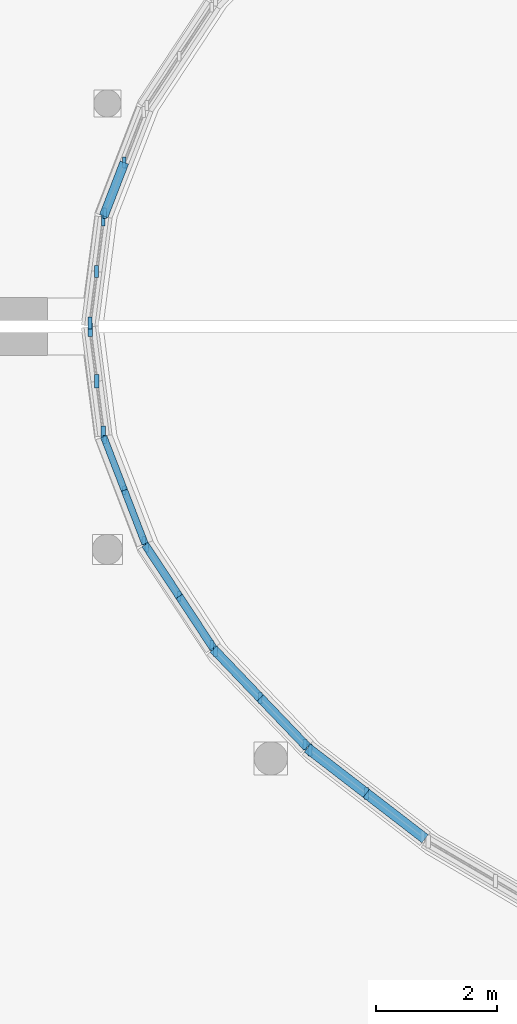
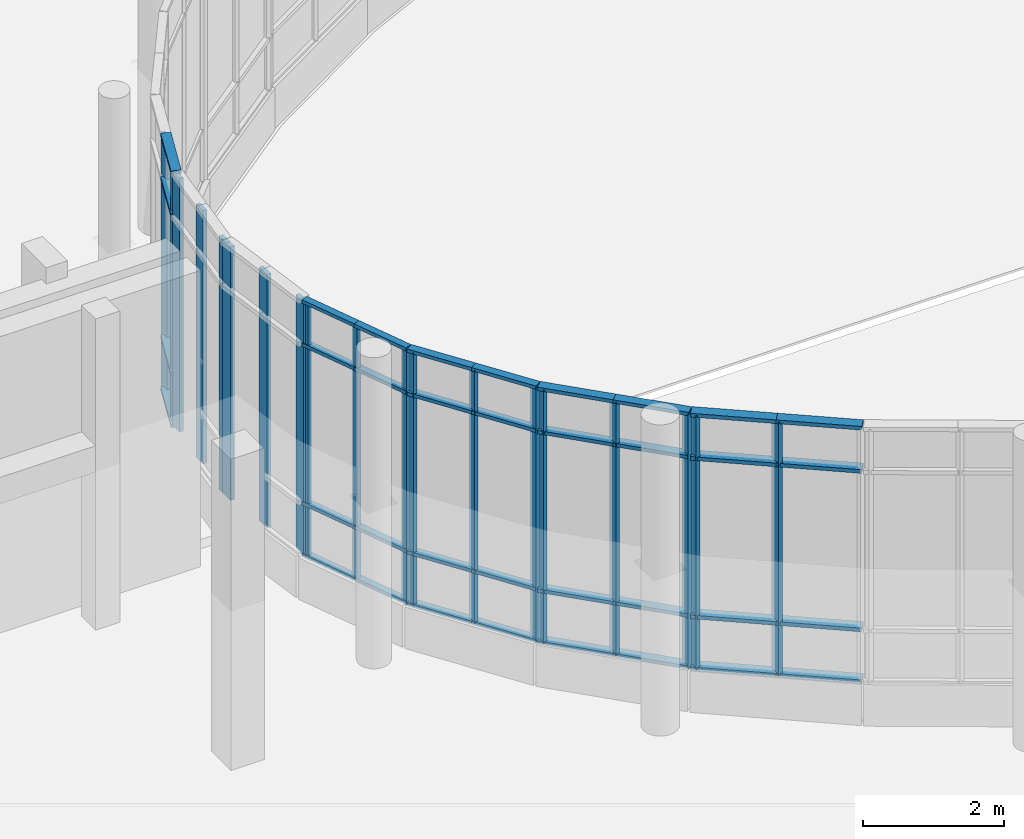
# One storey, part 18 of 84: 55 members, 7 elements without a shape of their own.
"""IFC4 building model written with IfcOpenShell, lengths in metres."""

from ifc_helpers import new_model, si_unit, direction, frame, origin, origin_2d, place, context, subcontext, project, spatial, rectangle, extrude, material, material_profile, profile_set, type_object, element, aggregate, save


model = new_model("IFC4")

# Units and contexts
model_context = context("Model", 3, precision=1e-05, world=origin(), true_north=direction((0.0, 1.0)))
body_context = subcontext(model_context, "Body", "Model", "MODEL_VIEW")
ifc_project = project(units=[si_unit("LENGTHUNIT", "METRE"), si_unit("AREAUNIT", "SQUARE_METRE"), si_unit("VOLUMEUNIT", "CUBIC_METRE"), si_unit("PLANEANGLEUNIT", "RADIAN"), si_unit("MASSUNIT", "GRAM", prefix="KILO")], contexts=[model_context])

# Site, building, storey
site_placement = place(None, origin())
site = spatial("IfcSite", under=ifc_project, at=site_placement, CompositionType="ELEMENT")
building_placement = place(site_placement, origin())
building = spatial("IfcBuilding", under=site, at=building_placement, Name="Mzevani Central Library", CompositionType="ELEMENT")
storey_placement = place(building_placement, origin())
storey = spatial("IfcBuildingStorey", under=building, at=storey_placement, Name="L00", CompositionType="ELEMENT", Elevation=0.0)

# Curtain wall, members
ifc_material_1 = material(Name="Thermally broken aluminium and Low-E triple glazing", Category="aluminium")
curtain_wall_type_1 = type_object("IfcCurtainWallType", Name="Elliptical Court Unitised Curtain Wall", PredefinedType="NOTDEFINED", material=ifc_material_1)
curtain_wall_1_placement = place(storey_placement, origin())
curtain_wall_1 = element("IfcCurtainWall", 1, at=curtain_wall_1_placement, inside=storey, type_object=curtain_wall_type_1, Name="L00 Elliptical Court Curtain Wall 26", PredefinedType="NOTDEFINED")
ifc_material_2 = material(Name="Thermally broken aluminium AW-6060", Category="aluminium")
ifc_material_profile_1 = material_profile(ifc_material_2, rectangle(XDim=0.06005859375, YDim=0.139892578125, at=origin_2d()), Name="ALU M60x140")
ifc_profile_set_1 = profile_set([ifc_material_profile_1], Name="Thermally broken aluminium AW-6060")
member_type_1 = type_object("IfcMemberType", Name="CW Mullion 60x140", PredefinedType="MULLION", material=ifc_profile_set_1)
member_1_placement = place(storey_placement, frame((57.228515625, 74.1279296875, 0.719970703125), z_axis=(0.0, 0.0, 1.0), x_axis=(1.0, 0.0, 0.0)))
member_1 = element("IfcMember", 2, at=member_1_placement, type_object=member_type_1, Name="L00 Elliptical Court Curtain Wall 26 Mullion 1", PredefinedType="MULLION", context=body_context, shape_type="SweptSolid", body=[
    extrude(rectangle(XDim=0.06005859375, YDim=0.139892578125, at=origin_2d()), origin(), (0.0, 0.0, 1.0), 4.400146484375),
])
member_2_placement = place(storey_placement, frame((57.55224609375, 73.288818359375, 0.719970703125), z_axis=(0.0, 0.0, 1.0), x_axis=(1.0, 0.0, 0.0)))
member_2 = element("IfcMember", 3, at=member_2_placement, type_object=member_type_1, Name="L00 Elliptical Court Curtain Wall 26 Mullion 2", PredefinedType="MULLION", context=body_context, shape_type="SweptSolid", body=[
    extrude(rectangle(XDim=0.06005859375, YDim=0.139892578125, at=origin_2d()), origin(), (0.0, 0.0, 1.0), 4.400146484375),
])
member_3_placement = place(storey_placement, frame((57.876220703125, 72.449462890625, 0.719970703125), z_axis=(0.0, 0.0, 1.0), x_axis=(1.0, 0.0, 0.0)))
member_3 = element("IfcMember", 4, at=member_3_placement, type_object=member_type_1, Name="L00 Elliptical Court Curtain Wall 26 Mullion 3", PredefinedType="MULLION", context=body_context, shape_type="SweptSolid", body=[
    extrude(rectangle(XDim=0.06005859375, YDim=0.139892578125, at=origin_2d()), origin(), (0.0, 0.0, 1.0), 4.400146484375),
])

curtain_wall_2_placement = place(storey_placement, origin())
curtain_wall_2 = element("IfcCurtainWall", 5, at=curtain_wall_2_placement, inside=storey, type_object=curtain_wall_type_1, Name="L00 Elliptical Court Curtain Wall 27", PredefinedType="NOTDEFINED")
ifc_material_profile_2 = material_profile(ifc_material_2, rectangle(XDim=0.06005859375, YDim=0.159912109375, at=origin_2d()), Name="ALU M60x160")
ifc_profile_set_2 = profile_set([ifc_material_profile_2], Name="Thermally broken aluminium AW-6060")
member_type_2 = type_object("IfcMemberType", Name="CW Mullion 60x160", PredefinedType="MULLION", material=ifc_profile_set_2)
member_4_placement = place(storey_placement, frame((57.924072265625, 72.345458984375, 0.719970703125), z_axis=(0.0, 0.0, 1.0), x_axis=(1.0, 0.0, 0.0)))
member_4 = element("IfcMember", 6, at=member_4_placement, type_object=member_type_2, Name="L00 Elliptical Court Curtain Wall 27 Mullion 1", PredefinedType="MULLION", context=body_context, shape_type="SweptSolid", body=[
    extrude(rectangle(XDim=0.06005859375, YDim=0.159912109375, at=origin_2d()), origin(), (0.0, 0.0, 1.0), 4.400146484375),
])
member_5_placement = place(storey_placement, frame((58.4599609375, 71.53173828125, 0.719970703125), z_axis=(0.0, 0.0, 1.0), x_axis=(1.0, 0.0, 0.0)))
member_5 = element("IfcMember", 7, at=member_5_placement, type_object=member_type_2, Name="L00 Elliptical Court Curtain Wall 27 Mullion 2", PredefinedType="MULLION", context=body_context, shape_type="SweptSolid", body=[
    extrude(rectangle(XDim=0.06005859375, YDim=0.159912109375, at=origin_2d()), origin(), (0.0, 0.0, 1.0), 4.400146484375),
])
member_6_placement = place(storey_placement, frame((58.995849609375, 70.718017578125, 0.719970703125), z_axis=(0.0, 0.0, 1.0), x_axis=(1.0, 0.0, 0.0)))
member_6 = element("IfcMember", 8, at=member_6_placement, type_object=member_type_2, Name="L00 Elliptical Court Curtain Wall 27 Mullion 3", PredefinedType="MULLION", context=body_context, shape_type="SweptSolid", body=[
    extrude(rectangle(XDim=0.06005859375, YDim=0.159912109375, at=origin_2d()), origin(), (0.0, 0.0, 1.0), 4.400146484375),
])

curtain_wall_3_placement = place(storey_placement, origin())
curtain_wall_3 = element("IfcCurtainWall", 9, at=curtain_wall_3_placement, inside=storey, type_object=curtain_wall_type_1, Name="L00 Elliptical Court Curtain Wall 23", PredefinedType="NOTDEFINED")
ifc_material_profile_3 = material_profile(ifc_material_2, rectangle(XDim=0.06005859375, YDim=0.179931640625, at=origin_2d()), Name="ALU M60x180")
ifc_profile_set_3 = profile_set([ifc_material_profile_3], Name="Thermally broken aluminium AW-6060")
member_type_3 = type_object("IfcMemberType", Name="CW Mullion 60x180", PredefinedType="MULLION", material=ifc_profile_set_3)
member_7_placement = place(storey_placement, frame((57.55224609375, 78.711181640625, 0.719970703125), z_axis=(0.0, 0.0, 1.0), x_axis=(1.0, 0.0, 0.0)))
member_7 = element("IfcMember", 10, at=member_7_placement, type_object=member_type_3, Name="L00 Elliptical Court Curtain Wall 23 Mullion 2", PredefinedType="MULLION", context=body_context, shape_type="SweptSolid", body=[
    extrude(rectangle(XDim=0.06005859375, YDim=0.179931640625, at=origin_2d()), origin(), (0.0, 0.0, 1.0), 4.400146484375),
])
member_8_placement = place(storey_placement, frame((57.228515625, 77.8720703125, 0.719970703125), z_axis=(0.0, 0.0, 1.0), x_axis=(1.0, 0.0, 0.0)))
member_8 = element("IfcMember", 11, at=member_8_placement, type_object=member_type_3, Name="L00 Elliptical Court Curtain Wall 23 Mullion 3", PredefinedType="MULLION", context=body_context, shape_type="SweptSolid", body=[
    extrude(rectangle(XDim=0.06005859375, YDim=0.179931640625, at=origin_2d()), origin(), (0.0, 0.0, 1.0), 4.400146484375),
])

curtain_wall_type_2 = type_object("IfcCurtainWallType", Name="Reading Hall Northlight Curtain Wall", PredefinedType="NOTDEFINED", material=ifc_material_1)
curtain_wall_4_placement = place(storey_placement, origin())
curtain_wall_4 = element("IfcCurtainWall", 12, at=curtain_wall_4_placement, inside=storey, type_object=curtain_wall_type_2, Name="L00 Elliptical Court Curtain Wall 28", PredefinedType="NOTDEFINED")
member_9_placement = place(storey_placement, frame((59.061279296875, 70.6240234375, 0.719970703125), z_axis=(0.0, 0.0, 1.0), x_axis=(1.0, 0.0, 0.0)))
member_9 = element("IfcMember", 13, at=member_9_placement, type_object=member_type_3, Name="L00 Elliptical Court Curtain Wall 28 Mullion 1", PredefinedType="MULLION", context=body_context, shape_type="SweptSolid", body=[
    extrude(rectangle(XDim=0.06005859375, YDim=0.179931640625, at=origin_2d()), origin(), (0.0, 0.0, 1.0), 4.400146484375),
])
member_10_placement = place(storey_placement, frame((59.802001953125, 69.849853515625, 0.719970703125), z_axis=(0.0, 0.0, 1.0), x_axis=(1.0, 0.0, 0.0)))
member_10 = element("IfcMember", 14, at=member_10_placement, type_object=member_type_3, Name="L00 Elliptical Court Curtain Wall 28 Mullion 2", PredefinedType="MULLION", context=body_context, shape_type="SweptSolid", body=[
    extrude(rectangle(XDim=0.06005859375, YDim=0.179931640625, at=origin_2d()), origin(), (0.0, 0.0, 1.0), 4.400146484375),
])
member_11_placement = place(storey_placement, frame((60.542724609375, 69.075927734375, 0.719970703125), z_axis=(0.0, 0.0, 1.0), x_axis=(1.0, 0.0, 0.0)))
member_11 = element("IfcMember", 15, at=member_11_placement, type_object=member_type_3, Name="L00 Elliptical Court Curtain Wall 28 Mullion 3", PredefinedType="MULLION", context=body_context, shape_type="SweptSolid", body=[
    extrude(rectangle(XDim=0.06005859375, YDim=0.179931640625, at=origin_2d()), origin(), (0.0, 0.0, 1.0), 4.400146484375),
])

curtain_wall_5_placement = place(storey_placement, origin())
curtain_wall_5 = element("IfcCurtainWall", 16, at=curtain_wall_5_placement, inside=storey, type_object=curtain_wall_type_1, Name="L00 Elliptical Court Curtain Wall 24", PredefinedType="NOTDEFINED")
ifc_material_profile_4 = material_profile(ifc_material_2, rectangle(XDim=0.06494140625, YDim=0.199951171875, at=origin_2d()), Name="ALU M65x200")
ifc_profile_set_4 = profile_set([ifc_material_profile_4], Name="Thermally broken aluminium AW-6060")
member_type_4 = type_object("IfcMemberType", Name="CW Mullion 65x200", PredefinedType="MULLION", material=ifc_profile_set_4)
member_12_placement = place(storey_placement, frame((57.203125, 77.7607421875, 0.719970703125), z_axis=(0.0, 0.0, 1.0), x_axis=(1.0, 0.0, 0.0)))
member_12 = element("IfcMember", 17, at=member_12_placement, type_object=member_type_4, Name="L00 Elliptical Court Curtain Wall 24 Mullion 1", PredefinedType="MULLION", context=body_context, shape_type="SweptSolid", body=[
    extrude(rectangle(XDim=0.06494140625, YDim=0.199951171875, at=origin_2d()), origin(), (0.0, 0.0, 1.0), 4.400146484375),
])
member_13_placement = place(storey_placement, frame((57.0947265625, 76.908935546875, 0.719970703125), z_axis=(0.0, 0.0, 1.0), x_axis=(1.0, 0.0, 0.0)))
member_13 = element("IfcMember", 18, at=member_13_placement, type_object=member_type_4, Name="L00 Elliptical Court Curtain Wall 24 Mullion 2", PredefinedType="MULLION", context=body_context, shape_type="SweptSolid", body=[
    extrude(rectangle(XDim=0.06494140625, YDim=0.199951171875, at=origin_2d()), origin(), (0.0, 0.0, 1.0), 4.400146484375),
])
member_14_placement = place(storey_placement, frame((56.986328125, 76.056884765625, 0.719970703125), z_axis=(0.0, 0.0, 1.0), x_axis=(1.0, 0.0, 0.0)))
member_14 = element("IfcMember", 19, at=member_14_placement, type_object=member_type_4, Name="L00 Elliptical Court Curtain Wall 24 Mullion 3", PredefinedType="MULLION", context=body_context, shape_type="SweptSolid", body=[
    extrude(rectangle(XDim=0.06494140625, YDim=0.199951171875, at=origin_2d()), origin(), (0.0, 0.0, 1.0), 4.400146484375),
])
aggregate(curtain_wall_5, [member_12, member_13, member_14])

curtain_wall_6_placement = place(storey_placement, origin())
curtain_wall_6 = element("IfcCurtainWall", 20, at=curtain_wall_6_placement, inside=storey, type_object=curtain_wall_type_1, Name="L00 Elliptical Court Curtain Wall 29", PredefinedType="NOTDEFINED")
member_15_placement = place(storey_placement, frame((60.6220703125, 68.99169921875, 0.719970703125), z_axis=(0.0, 0.0, 1.0), x_axis=(1.0, 0.0, 0.0)))
member_15 = element("IfcMember", 21, at=member_15_placement, type_object=member_type_4, Name="L00 Elliptical Court Curtain Wall 29 Mullion 1", PredefinedType="MULLION", context=body_context, shape_type="SweptSolid", body=[
    extrude(rectangle(XDim=0.06494140625, YDim=0.199951171875, at=origin_2d()), origin(), (0.0, 0.0, 1.0), 4.400146484375),
])
member_16_placement = place(storey_placement, frame((61.556396484375, 68.27099609375, 0.719970703125), z_axis=(0.0, 0.0, 1.0), x_axis=(1.0, 0.0, 0.0)))
member_16 = element("IfcMember", 22, at=member_16_placement, type_object=member_type_4, Name="L00 Elliptical Court Curtain Wall 29 Mullion 2", PredefinedType="MULLION", context=body_context, shape_type="SweptSolid", body=[
    extrude(rectangle(XDim=0.06494140625, YDim=0.199951171875, at=origin_2d()), origin(), (0.0, 0.0, 1.0), 4.400146484375),
])

curtain_wall_7_placement = place(storey_placement, origin())
curtain_wall_7 = element("IfcCurtainWall", 23, at=curtain_wall_7_placement, inside=storey, type_object=curtain_wall_type_2, Name="L00 Elliptical Court Curtain Wall 25", PredefinedType="NOTDEFINED")
ifc_material_profile_5 = material_profile(ifc_material_2, rectangle(XDim=0.070068359375, YDim=0.219970703125, at=origin_2d()), Name="ALU M70x220")
ifc_profile_set_5 = profile_set([ifc_material_profile_5], Name="Thermally broken aluminium AW-6060")
member_type_5 = type_object("IfcMemberType", Name="CW Mullion 70x220", PredefinedType="MULLION", material=ifc_profile_set_5)
member_17_placement = place(storey_placement, frame((56.986328125, 75.943115234375, 0.719970703125), z_axis=(0.0, 0.0, 1.0), x_axis=(1.0, 0.0, 0.0)))
member_17 = element("IfcMember", 24, at=member_17_placement, type_object=member_type_5, Name="L00 Elliptical Court Curtain Wall 25 Mullion 1", PredefinedType="MULLION", context=body_context, shape_type="SweptSolid", body=[
    extrude(rectangle(XDim=0.070068359375, YDim=0.219970703125, at=origin_2d()), origin(), (0.0, 0.0, 1.0), 4.400146484375),
])
member_18_placement = place(storey_placement, frame((57.0947265625, 75.091064453125, 0.719970703125), z_axis=(0.0, 0.0, 1.0), x_axis=(1.0, 0.0, 0.0)))
member_18 = element("IfcMember", 25, at=member_18_placement, type_object=member_type_5, Name="L00 Elliptical Court Curtain Wall 25 Mullion 2", PredefinedType="MULLION", context=body_context, shape_type="SweptSolid", body=[
    extrude(rectangle(XDim=0.070068359375, YDim=0.219970703125, at=origin_2d()), origin(), (0.0, 0.0, 1.0), 4.400146484375),
])
member_19_placement = place(storey_placement, frame((57.203125, 74.2392578125, 0.719970703125), z_axis=(0.0, 0.0, 1.0), x_axis=(1.0, 0.0, 0.0)))
member_19 = element("IfcMember", 26, at=member_19_placement, type_object=member_type_5, Name="L00 Elliptical Court Curtain Wall 25 Mullion 3", PredefinedType="MULLION", context=body_context, shape_type="SweptSolid", body=[
    extrude(rectangle(XDim=0.070068359375, YDim=0.219970703125, at=origin_2d()), origin(), (0.0, 0.0, 1.0), 4.400146484375),
])
aggregate(curtain_wall_7, [member_17, member_18, member_19])

# Member
ifc_material_profile_6 = material_profile(ifc_material_2, rectangle(XDim=0.110107421875, YDim=0.06005859375, at=origin_2d()), Name="ALU T60x110")
ifc_profile_set_6 = profile_set([ifc_material_profile_6], Name="Thermally broken aluminium AW-6060")
member_type_6 = type_object("IfcMemberType", Name="CW Transom 60x110", PredefinedType="USERDEFINED", material=ifc_profile_set_6)
member_20_placement = place(storey_placement, frame((57.21044921875, 74.1748046875, 0.719970703125), z_axis=(0.359926417848, -0.93298069312, 0.0), x_axis=(0.93298069312, 0.359926417848, 0.0)))
member_20 = element("IfcMember", 27, at=member_20_placement, type_object=member_type_6, Name="L00 Elliptical Court Curtain Wall 26 Transom 1", ObjectType="TRANSOM", PredefinedType="USERDEFINED", context=body_context, shape_type="SweptSolid", body=[
    extrude(rectangle(XDim=0.110107421875, YDim=0.06005859375, at=origin_2d()), origin(), (0.0, 0.0, 1.0), 0.94970703125),
])

member_21_placement = place(storey_placement, frame((57.21044921875, 74.1748046875, 1.6201171875), z_axis=(0.359926417848, -0.93298069312, 0.0), x_axis=(0.93298069312, 0.359926417848, 0.0)))
member_21 = element("IfcMember", 28, at=member_21_placement, type_object=member_type_6, Name="L00 Elliptical Court Curtain Wall 26 Transom 2", ObjectType="TRANSOM", PredefinedType="USERDEFINED", context=body_context, shape_type="SweptSolid", body=[
    extrude(rectangle(XDim=0.110107421875, YDim=0.06005859375, at=origin_2d()), origin(), (0.0, 0.0, 1.0), 0.94970703125),
])

member_22_placement = place(storey_placement, frame((57.21044921875, 74.1748046875, 4.3701171875), z_axis=(0.359926417848, -0.93298069312, 0.0), x_axis=(0.93298069312, 0.359926417848, 0.0)))
member_22 = element("IfcMember", 29, at=member_22_placement, type_object=member_type_6, Name="L00 Elliptical Court Curtain Wall 26 Transom 3", ObjectType="TRANSOM", PredefinedType="USERDEFINED", context=body_context, shape_type="SweptSolid", body=[
    extrude(rectangle(XDim=0.110107421875, YDim=0.06005859375, at=origin_2d()), origin(), (0.0, 0.0, 1.0), 0.94970703125),
])

member_23_placement = place(storey_placement, frame((57.21044921875, 74.1748046875, 5.1201171875), z_axis=(0.359926417848, -0.93298069312, 0.0), x_axis=(0.93298069312, 0.359926417848, 0.0)))
member_23 = element("IfcMember", 30, at=member_23_placement, type_object=member_type_6, Name="L00 Elliptical Court Curtain Wall 26 Transom 4", ObjectType="TRANSOM", PredefinedType="USERDEFINED", context=body_context, shape_type="SweptSolid", body=[
    extrude(rectangle(XDim=0.110107421875, YDim=0.06005859375, at=origin_2d()), origin(), (0.0, 0.0, 1.0), 0.94970703125),
])

member_24_placement = place(storey_placement, frame((57.55224609375, 73.288818359375, 0.719970703125), z_axis=(0.360063821231, -0.932927673853, 0.0), x_axis=(0.932927673853, 0.360063821231, 0.0)))
member_24 = element("IfcMember", 31, at=member_24_placement, type_object=member_type_6, Name="L00 Elliptical Court Curtain Wall 26 Transom 5", ObjectType="TRANSOM", PredefinedType="USERDEFINED", context=body_context, shape_type="SweptSolid", body=[
    extrude(rectangle(XDim=0.110107421875, YDim=0.06005859375, at=origin_2d()), origin(), (0.0, 0.0, 1.0), 0.949951171875),
])

member_25_placement = place(storey_placement, frame((57.55224609375, 73.288818359375, 1.6201171875), z_axis=(0.360063821231, -0.932927673853, 0.0), x_axis=(0.932927673853, 0.360063821231, 0.0)))
member_25 = element("IfcMember", 32, at=member_25_placement, type_object=member_type_6, Name="L00 Elliptical Court Curtain Wall 26 Transom 6", ObjectType="TRANSOM", PredefinedType="USERDEFINED", context=body_context, shape_type="SweptSolid", body=[
    extrude(rectangle(XDim=0.110107421875, YDim=0.06005859375, at=origin_2d()), origin(), (0.0, 0.0, 1.0), 0.949951171875),
])

member_26_placement = place(storey_placement, frame((57.55224609375, 73.288818359375, 4.3701171875), z_axis=(0.360063821231, -0.932927673853, 0.0), x_axis=(0.932927673853, 0.360063821231, 0.0)))
member_26 = element("IfcMember", 33, at=member_26_placement, type_object=member_type_6, Name="L00 Elliptical Court Curtain Wall 26 Transom 7", ObjectType="TRANSOM", PredefinedType="USERDEFINED", context=body_context, shape_type="SweptSolid", body=[
    extrude(rectangle(XDim=0.110107421875, YDim=0.06005859375, at=origin_2d()), origin(), (0.0, 0.0, 1.0), 0.949951171875),
])

member_27_placement = place(storey_placement, frame((57.55224609375, 73.288818359375, 5.1201171875), z_axis=(0.360063821231, -0.932927673853, 0.0), x_axis=(0.932927673853, 0.360063821231, 0.0)))
member_27 = element("IfcMember", 34, at=member_27_placement, type_object=member_type_6, Name="L00 Elliptical Court Curtain Wall 26 Transom 8", ObjectType="TRANSOM", PredefinedType="USERDEFINED", context=body_context, shape_type="SweptSolid", body=[
    extrude(rectangle(XDim=0.110107421875, YDim=0.06005859375, at=origin_2d()), origin(), (0.0, 0.0, 1.0), 0.949951171875),
])

aggregate(curtain_wall_1, [member_1, member_2, member_3, member_20, member_21, member_22, member_23, member_24, member_25, member_26, member_27])

ifc_material_profile_7 = material_profile(ifc_material_2, rectangle(XDim=0.1298828125, YDim=0.06005859375, at=origin_2d()), Name="ALU T60x130")
ifc_profile_set_7 = profile_set([ifc_material_profile_7], Name="Thermally broken aluminium AW-6060")
member_type_7 = type_object("IfcMemberType", Name="CW Transom 60x130", PredefinedType="USERDEFINED", material=ifc_profile_set_7)
member_28_placement = place(storey_placement, frame((57.896484375, 72.38720703125, 0.719970703125), z_axis=(0.550071659346, -0.835117458556, 0.0), x_axis=(0.835117458556, 0.550071659346, 0.0)))
member_28 = element("IfcMember", 35, at=member_28_placement, type_object=member_type_7, Name="L00 Elliptical Court Curtain Wall 27 Transom 1", ObjectType="TRANSOM", PredefinedType="USERDEFINED", context=body_context, shape_type="SweptSolid", body=[
    extrude(rectangle(XDim=0.1298828125, YDim=0.06005859375, at=origin_2d()), origin(), (0.0, 0.0, 1.0), 1.0244140625),
])

member_29_placement = place(storey_placement, frame((57.896484375, 72.38720703125, 1.6201171875), z_axis=(0.550071659346, -0.835117458556, 0.0), x_axis=(0.835117458556, 0.550071659346, 0.0)))
member_29 = element("IfcMember", 36, at=member_29_placement, type_object=member_type_7, Name="L00 Elliptical Court Curtain Wall 27 Transom 2", ObjectType="TRANSOM", PredefinedType="USERDEFINED", context=body_context, shape_type="SweptSolid", body=[
    extrude(rectangle(XDim=0.1298828125, YDim=0.06005859375, at=origin_2d()), origin(), (0.0, 0.0, 1.0), 1.0244140625),
])

member_30_placement = place(storey_placement, frame((57.896484375, 72.38720703125, 4.3701171875), z_axis=(0.550071659346, -0.835117458556, 0.0), x_axis=(0.835117458556, 0.550071659346, 0.0)))
member_30 = element("IfcMember", 37, at=member_30_placement, type_object=member_type_7, Name="L00 Elliptical Court Curtain Wall 27 Transom 3", ObjectType="TRANSOM", PredefinedType="USERDEFINED", context=body_context, shape_type="SweptSolid", body=[
    extrude(rectangle(XDim=0.1298828125, YDim=0.06005859375, at=origin_2d()), origin(), (0.0, 0.0, 1.0), 1.0244140625),
])

member_31_placement = place(storey_placement, frame((57.896484375, 72.38720703125, 5.1201171875), z_axis=(0.550071659346, -0.835117458556, 0.0), x_axis=(0.835117458556, 0.550071659346, 0.0)))
member_31 = element("IfcMember", 38, at=member_31_placement, type_object=member_type_7, Name="L00 Elliptical Court Curtain Wall 27 Transom 4", ObjectType="TRANSOM", PredefinedType="USERDEFINED", context=body_context, shape_type="SweptSolid", body=[
    extrude(rectangle(XDim=0.1298828125, YDim=0.06005859375, at=origin_2d()), origin(), (0.0, 0.0, 1.0), 1.0244140625),
])

member_32_placement = place(storey_placement, frame((58.4599609375, 71.53173828125, 0.719970703125), z_axis=(0.54990540845, -0.835226940273, 0.0), x_axis=(0.835226940273, 0.54990540845, 0.0)))
member_32 = element("IfcMember", 39, at=member_32_placement, type_object=member_type_7, Name="L00 Elliptical Court Curtain Wall 27 Transom 5", ObjectType="TRANSOM", PredefinedType="USERDEFINED", context=body_context, shape_type="SweptSolid", body=[
    extrude(rectangle(XDim=0.1298828125, YDim=0.06005859375, at=origin_2d()), origin(), (0.0, 0.0, 1.0), 1.024169921875),
])

member_33_placement = place(storey_placement, frame((58.4599609375, 71.53173828125, 1.6201171875), z_axis=(0.54990540845, -0.835226940273, 0.0), x_axis=(0.835226940273, 0.54990540845, 0.0)))
member_33 = element("IfcMember", 40, at=member_33_placement, type_object=member_type_7, Name="L00 Elliptical Court Curtain Wall 27 Transom 6", ObjectType="TRANSOM", PredefinedType="USERDEFINED", context=body_context, shape_type="SweptSolid", body=[
    extrude(rectangle(XDim=0.1298828125, YDim=0.06005859375, at=origin_2d()), origin(), (0.0, 0.0, 1.0), 1.024169921875),
])

member_34_placement = place(storey_placement, frame((58.4599609375, 71.53173828125, 4.3701171875), z_axis=(0.54990540845, -0.835226940273, 0.0), x_axis=(0.835226940273, 0.54990540845, 0.0)))
member_34 = element("IfcMember", 41, at=member_34_placement, type_object=member_type_7, Name="L00 Elliptical Court Curtain Wall 27 Transom 7", ObjectType="TRANSOM", PredefinedType="USERDEFINED", context=body_context, shape_type="SweptSolid", body=[
    extrude(rectangle(XDim=0.1298828125, YDim=0.06005859375, at=origin_2d()), origin(), (0.0, 0.0, 1.0), 1.024169921875),
])

member_35_placement = place(storey_placement, frame((58.4599609375, 71.53173828125, 5.1201171875), z_axis=(0.54990540845, -0.835226940273, 0.0), x_axis=(0.835226940273, 0.54990540845, 0.0)))
member_35 = element("IfcMember", 42, at=member_35_placement, type_object=member_type_7, Name="L00 Elliptical Court Curtain Wall 27 Transom 8", ObjectType="TRANSOM", PredefinedType="USERDEFINED", context=body_context, shape_type="SweptSolid", body=[
    extrude(rectangle(XDim=0.1298828125, YDim=0.06005859375, at=origin_2d()), origin(), (0.0, 0.0, 1.0), 1.024169921875),
])

aggregate(curtain_wall_2, [member_4, member_5, member_6, member_28, member_29, member_30, member_31, member_32, member_33, member_34, member_35])

ifc_material_profile_8 = material_profile(ifc_material_2, rectangle(XDim=0.14990234375, YDim=0.06005859375, at=origin_2d()), Name="ALU T60x150")
ifc_profile_set_8 = profile_set([ifc_material_profile_8], Name="Thermally broken aluminium AW-6060")
member_type_8 = type_object("IfcMemberType", Name="CW Transom 60x150", PredefinedType="USERDEFINED", material=ifc_profile_set_8)
member_36_placement = place(storey_placement, frame((57.55224609375, 78.711181640625, 0.719970703125), z_axis=(-0.359926417848, -0.93298069312, 0.0), x_axis=(0.93298069312, -0.359926417848, 0.0)))
member_36 = element("IfcMember", 43, at=member_36_placement, type_object=member_type_8, Name="L00 Elliptical Court Curtain Wall 23 Transom 5", ObjectType="TRANSOM", PredefinedType="USERDEFINED", context=body_context, shape_type="SweptSolid", body=[
    extrude(rectangle(XDim=0.14990234375, YDim=0.06005859375, at=origin_2d()), origin(), (0.0, 0.0, 1.0), 0.94970703125),
])

member_37_placement = place(storey_placement, frame((57.55224609375, 78.711181640625, 1.6201171875), z_axis=(-0.359926417848, -0.93298069312, 0.0), x_axis=(0.93298069312, -0.359926417848, 0.0)))
member_37 = element("IfcMember", 44, at=member_37_placement, type_object=member_type_8, Name="L00 Elliptical Court Curtain Wall 23 Transom 6", ObjectType="TRANSOM", PredefinedType="USERDEFINED", context=body_context, shape_type="SweptSolid", body=[
    extrude(rectangle(XDim=0.14990234375, YDim=0.06005859375, at=origin_2d()), origin(), (0.0, 0.0, 1.0), 0.94970703125),
])

member_38_placement = place(storey_placement, frame((57.55224609375, 78.711181640625, 4.3701171875), z_axis=(-0.359926417848, -0.93298069312, 0.0), x_axis=(0.93298069312, -0.359926417848, 0.0)))
member_38 = element("IfcMember", 45, at=member_38_placement, type_object=member_type_8, Name="L00 Elliptical Court Curtain Wall 23 Transom 7", ObjectType="TRANSOM", PredefinedType="USERDEFINED", context=body_context, shape_type="SweptSolid", body=[
    extrude(rectangle(XDim=0.14990234375, YDim=0.06005859375, at=origin_2d()), origin(), (0.0, 0.0, 1.0), 0.94970703125),
])

member_39_placement = place(storey_placement, frame((57.55224609375, 78.711181640625, 5.1201171875), z_axis=(-0.359926417848, -0.93298069312, 0.0), x_axis=(0.93298069312, -0.359926417848, 0.0)))
member_39 = element("IfcMember", 46, at=member_39_placement, type_object=member_type_8, Name="L00 Elliptical Court Curtain Wall 23 Transom 8", ObjectType="TRANSOM", PredefinedType="USERDEFINED", context=body_context, shape_type="SweptSolid", body=[
    extrude(rectangle(XDim=0.14990234375, YDim=0.06005859375, at=origin_2d()), origin(), (0.0, 0.0, 1.0), 0.94970703125),
])

aggregate(curtain_wall_3, [member_7, member_8, member_36, member_37, member_38, member_39])

member_40_placement = place(storey_placement, frame((59.02685546875, 70.66015625, 0.719970703125), z_axis=(0.691257248067, -0.722608757901, 0.0), x_axis=(0.722608757901, 0.691257248067, 0.0)))
member_40 = element("IfcMember", 47, at=member_40_placement, type_object=member_type_8, Name="L00 Elliptical Court Curtain Wall 28 Transom 1", ObjectType="TRANSOM", PredefinedType="USERDEFINED", context=body_context, shape_type="SweptSolid", body=[
    extrude(rectangle(XDim=0.14990234375, YDim=0.06005859375, at=origin_2d()), origin(), (0.0, 0.0, 1.0), 1.121337890625),
])

member_41_placement = place(storey_placement, frame((59.02685546875, 70.66015625, 1.6201171875), z_axis=(0.691257248067, -0.722608757901, 0.0), x_axis=(0.722608757901, 0.691257248067, 0.0)))
member_41 = element("IfcMember", 48, at=member_41_placement, type_object=member_type_8, Name="L00 Elliptical Court Curtain Wall 28 Transom 2", ObjectType="TRANSOM", PredefinedType="USERDEFINED", context=body_context, shape_type="SweptSolid", body=[
    extrude(rectangle(XDim=0.14990234375, YDim=0.06005859375, at=origin_2d()), origin(), (0.0, 0.0, 1.0), 1.121337890625),
])

member_42_placement = place(storey_placement, frame((59.02685546875, 70.66015625, 4.3701171875), z_axis=(0.691257248067, -0.722608757901, 0.0), x_axis=(0.722608757901, 0.691257248067, 0.0)))
member_42 = element("IfcMember", 49, at=member_42_placement, type_object=member_type_8, Name="L00 Elliptical Court Curtain Wall 28 Transom 3", ObjectType="TRANSOM", PredefinedType="USERDEFINED", context=body_context, shape_type="SweptSolid", body=[
    extrude(rectangle(XDim=0.14990234375, YDim=0.06005859375, at=origin_2d()), origin(), (0.0, 0.0, 1.0), 1.121337890625),
])

member_43_placement = place(storey_placement, frame((59.02685546875, 70.66015625, 5.1201171875), z_axis=(0.691257248067, -0.722608757901, 0.0), x_axis=(0.722608757901, 0.691257248067, 0.0)))
member_43 = element("IfcMember", 50, at=member_43_placement, type_object=member_type_8, Name="L00 Elliptical Court Curtain Wall 28 Transom 4", ObjectType="TRANSOM", PredefinedType="USERDEFINED", context=body_context, shape_type="SweptSolid", body=[
    extrude(rectangle(XDim=0.14990234375, YDim=0.06005859375, at=origin_2d()), origin(), (0.0, 0.0, 1.0), 1.121337890625),
])

member_44_placement = place(storey_placement, frame((59.802001953125, 69.849853515625, 0.719970703125), z_axis=(0.691479654035, -0.722395935796, 0.0), x_axis=(0.722395935796, 0.691479654035, 0.0)))
member_44 = element("IfcMember", 51, at=member_44_placement, type_object=member_type_8, Name="L00 Elliptical Court Curtain Wall 28 Transom 5", ObjectType="TRANSOM", PredefinedType="USERDEFINED", context=body_context, shape_type="SweptSolid", body=[
    extrude(rectangle(XDim=0.14990234375, YDim=0.06005859375, at=origin_2d()), origin(), (0.0, 0.0, 1.0), 1.121337890625),
])

member_45_placement = place(storey_placement, frame((59.802001953125, 69.849853515625, 1.6201171875), z_axis=(0.691479654035, -0.722395935796, 0.0), x_axis=(0.722395935796, 0.691479654035, 0.0)))
member_45 = element("IfcMember", 52, at=member_45_placement, type_object=member_type_8, Name="L00 Elliptical Court Curtain Wall 28 Transom 6", ObjectType="TRANSOM", PredefinedType="USERDEFINED", context=body_context, shape_type="SweptSolid", body=[
    extrude(rectangle(XDim=0.14990234375, YDim=0.06005859375, at=origin_2d()), origin(), (0.0, 0.0, 1.0), 1.121337890625),
])

member_46_placement = place(storey_placement, frame((59.802001953125, 69.849853515625, 4.3701171875), z_axis=(0.691479654035, -0.722395935796, 0.0), x_axis=(0.722395935796, 0.691479654035, 0.0)))
member_46 = element("IfcMember", 53, at=member_46_placement, type_object=member_type_8, Name="L00 Elliptical Court Curtain Wall 28 Transom 7", ObjectType="TRANSOM", PredefinedType="USERDEFINED", context=body_context, shape_type="SweptSolid", body=[
    extrude(rectangle(XDim=0.14990234375, YDim=0.06005859375, at=origin_2d()), origin(), (0.0, 0.0, 1.0), 1.121337890625),
])

member_47_placement = place(storey_placement, frame((59.802001953125, 69.849853515625, 5.1201171875), z_axis=(0.691479654035, -0.722395935796, 0.0), x_axis=(0.722395935796, 0.691479654035, 0.0)))
member_47 = element("IfcMember", 54, at=member_47_placement, type_object=member_type_8, Name="L00 Elliptical Court Curtain Wall 28 Transom 8", ObjectType="TRANSOM", PredefinedType="USERDEFINED", context=body_context, shape_type="SweptSolid", body=[
    extrude(rectangle(XDim=0.14990234375, YDim=0.06005859375, at=origin_2d()), origin(), (0.0, 0.0, 1.0), 1.121337890625),
])

aggregate(curtain_wall_4, [member_9, member_10, member_11, member_40, member_41, member_42, member_43, member_44, member_45, member_46, member_47])

ifc_material_profile_9 = material_profile(ifc_material_2, rectangle(XDim=0.169921875, YDim=0.06494140625, at=origin_2d()), Name="ALU T65x170")
ifc_profile_set_9 = profile_set([ifc_material_profile_9], Name="Thermally broken aluminium AW-6060")
member_type_9 = type_object("IfcMemberType", Name="CW Transom 65x170", PredefinedType="USERDEFINED", material=ifc_profile_set_9)
member_48_placement = place(storey_placement, frame((60.58251953125, 69.022216796875, 0.719970703125), z_axis=(0.791804197393, -0.610775010123, 0.0), x_axis=(0.610775010123, 0.791804197393, 0.0)))
member_48 = element("IfcMember", 55, at=member_48_placement, type_object=member_type_9, Name="L00 Elliptical Court Curtain Wall 29 Transom 1", ObjectType="TRANSOM", PredefinedType="USERDEFINED", context=body_context, shape_type="SweptSolid", body=[
    extrude(rectangle(XDim=0.169921875, YDim=0.06494140625, at=origin_2d()), origin(), (0.0, 0.0, 1.0), 1.22998046875),
])

member_49_placement = place(storey_placement, frame((60.58251953125, 69.022216796875, 1.6201171875), z_axis=(0.791804197393, -0.610775010123, 0.0), x_axis=(0.610775010123, 0.791804197393, 0.0)))
member_49 = element("IfcMember", 56, at=member_49_placement, type_object=member_type_9, Name="L00 Elliptical Court Curtain Wall 29 Transom 2", ObjectType="TRANSOM", PredefinedType="USERDEFINED", context=body_context, shape_type="SweptSolid", body=[
    extrude(rectangle(XDim=0.169921875, YDim=0.06494140625, at=origin_2d()), origin(), (0.0, 0.0, 1.0), 1.22998046875),
])

member_50_placement = place(storey_placement, frame((60.58251953125, 69.022216796875, 4.3701171875), z_axis=(0.791804197393, -0.610775010123, 0.0), x_axis=(0.610775010123, 0.791804197393, 0.0)))
member_50 = element("IfcMember", 57, at=member_50_placement, type_object=member_type_9, Name="L00 Elliptical Court Curtain Wall 29 Transom 3", ObjectType="TRANSOM", PredefinedType="USERDEFINED", context=body_context, shape_type="SweptSolid", body=[
    extrude(rectangle(XDim=0.169921875, YDim=0.06494140625, at=origin_2d()), origin(), (0.0, 0.0, 1.0), 1.22998046875),
])

member_51_placement = place(storey_placement, frame((60.58251953125, 69.022216796875, 5.1201171875), z_axis=(0.791804197393, -0.610775010123, 0.0), x_axis=(0.610775010123, 0.791804197393, 0.0)))
member_51 = element("IfcMember", 58, at=member_51_placement, type_object=member_type_9, Name="L00 Elliptical Court Curtain Wall 29 Transom 4", ObjectType="TRANSOM", PredefinedType="USERDEFINED", context=body_context, shape_type="SweptSolid", body=[
    extrude(rectangle(XDim=0.169921875, YDim=0.06494140625, at=origin_2d()), origin(), (0.0, 0.0, 1.0), 1.22998046875),
])

member_52_placement = place(storey_placement, frame((61.556396484375, 68.27099609375, 0.719970703125), z_axis=(0.791826150421, -0.610746549322, 0.0), x_axis=(0.610746549322, 0.791826150421, 0.0)))
member_52 = element("IfcMember", 59, at=member_52_placement, type_object=member_type_9, Name="L00 Elliptical Court Curtain Wall 29 Transom 5", ObjectType="TRANSOM", PredefinedType="USERDEFINED", context=body_context, shape_type="SweptSolid", body=[
    extrude(rectangle(XDim=0.169921875, YDim=0.06494140625, at=origin_2d()), origin(), (0.0, 0.0, 1.0), 1.2294921875),
])

member_53_placement = place(storey_placement, frame((61.556396484375, 68.27099609375, 1.6201171875), z_axis=(0.791826150421, -0.610746549322, 0.0), x_axis=(0.610746549322, 0.791826150421, 0.0)))
member_53 = element("IfcMember", 60, at=member_53_placement, type_object=member_type_9, Name="L00 Elliptical Court Curtain Wall 29 Transom 6", ObjectType="TRANSOM", PredefinedType="USERDEFINED", context=body_context, shape_type="SweptSolid", body=[
    extrude(rectangle(XDim=0.169921875, YDim=0.06494140625, at=origin_2d()), origin(), (0.0, 0.0, 1.0), 1.2294921875),
])

member_54_placement = place(storey_placement, frame((61.556396484375, 68.27099609375, 4.3701171875), z_axis=(0.791826150421, -0.610746549322, 0.0), x_axis=(0.610746549322, 0.791826150421, 0.0)))
member_54 = element("IfcMember", 61, at=member_54_placement, type_object=member_type_9, Name="L00 Elliptical Court Curtain Wall 29 Transom 7", ObjectType="TRANSOM", PredefinedType="USERDEFINED", context=body_context, shape_type="SweptSolid", body=[
    extrude(rectangle(XDim=0.169921875, YDim=0.06494140625, at=origin_2d()), origin(), (0.0, 0.0, 1.0), 1.2294921875),
])

member_55_placement = place(storey_placement, frame((61.556396484375, 68.27099609375, 5.1201171875), z_axis=(0.791826150421, -0.610746549322, 0.0), x_axis=(0.610746549322, 0.791826150421, 0.0)))
member_55 = element("IfcMember", 62, at=member_55_placement, type_object=member_type_9, Name="L00 Elliptical Court Curtain Wall 29 Transom 8", ObjectType="TRANSOM", PredefinedType="USERDEFINED", context=body_context, shape_type="SweptSolid", body=[
    extrude(rectangle(XDim=0.169921875, YDim=0.06494140625, at=origin_2d()), origin(), (0.0, 0.0, 1.0), 1.2294921875),
])

aggregate(curtain_wall_6, [member_15, member_16, member_48, member_49, member_50, member_51, member_52, member_53, member_54, member_55])

save(model, "model.ifc")
